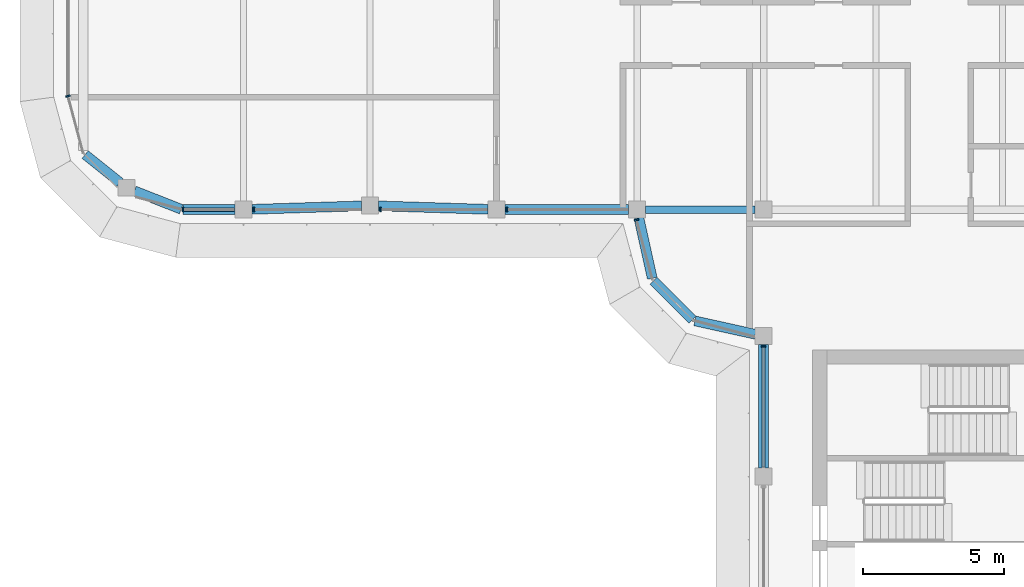
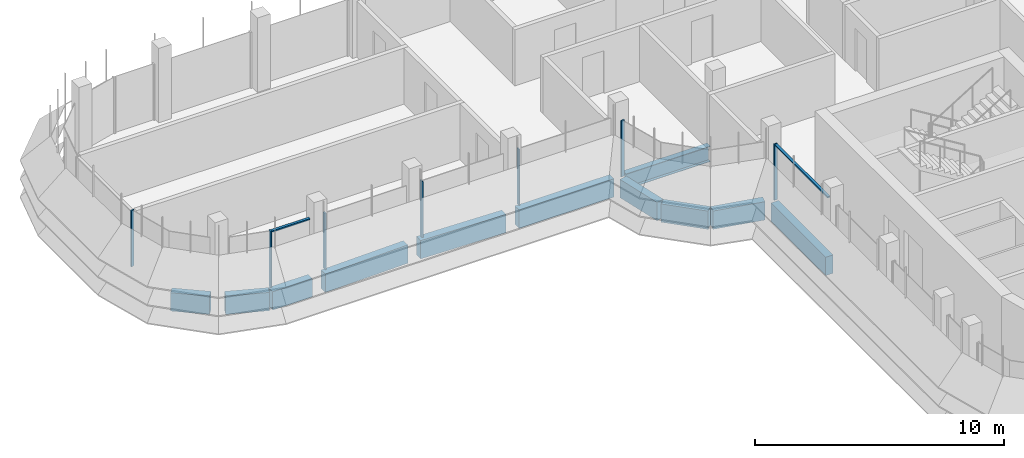
# One storey, part 3 of 19: 11 beams, 9 members, 4 elements without a shape of their own.
"""IFC4 building model written with IfcOpenShell, lengths in metres."""

from ifc_helpers import new_model, si_unit, direction, frame, origin, origin_2d, place, context, subcontext, project, spatial, polyline, rectangle, i_section, outline, extrude, source, transform, mapped, material, material_profile, profile_set, type_object, element, aggregate, save


model = new_model("IFC4")

# Units and contexts
model_context = context("Model", 3, precision=1e-05, world=origin(), true_north=direction((0.0, 1.0)))
body_context = subcontext(model_context, "Body", "Model", "MODEL_VIEW")
ifc_project = project(units=[si_unit("LENGTHUNIT", "METRE"), si_unit("AREAUNIT", "SQUARE_METRE"), si_unit("VOLUMEUNIT", "CUBIC_METRE"), si_unit("PLANEANGLEUNIT", "RADIAN"), si_unit("MASSUNIT", "GRAM", prefix="KILO")], contexts=[model_context])

# Site, building, storey
site_placement = place(None, origin())
site = spatial("IfcSite", under=ifc_project, at=site_placement, CompositionType="ELEMENT")
building_placement = place(site_placement, origin())
building = spatial("IfcBuilding", under=site, at=building_placement, Name="Zarbagh Exchange Tower", CompositionType="ELEMENT")
storey_placement = place(building_placement, frame((0.0, 0.0, 272.60009765625)))
storey = spatial("IfcBuildingStorey", under=building, at=storey_placement, Name="L67", CompositionType="ELEMENT", Elevation=272.60009765625)

# Beams
ifc_material_1 = material(Name="Steel ASTM A992 Gr 50", Category="steel")
ifc_material_profile_1 = material_profile(ifc_material_1, i_section(OverallWidth=0.2666015625, OverallDepth=0.7568359375, WebThickness=0.013916015625, FlangeThickness=0.019287109375, at=origin_2d()), Name="W30X108")
ifc_profile_set_1 = profile_set([ifc_material_profile_1], Name="Steel ASTM A992 Gr 50")
beam_type_1 = type_object("IfcBeamType", Name="Floor girder W30X108", PredefinedType="BEAM", material=ifc_profile_set_1)
beam_1_placement = place(storey_placement, frame((-10.449951171875, -6.25, -0.528564453125), z_axis=(1.0, 0.0, 0.0), x_axis=(0.0, 1.0, 0.0)))
element("IfcBeam", 1, at=beam_1_placement, inside=storey, type_object=beam_type_1, Name="Steel girder", PredefinedType="BEAM", context=body_context, shape_type="SweptSolid", body=[
    extrude(i_section(OverallWidth=0.2666015625, OverallDepth=0.7568359375, WebThickness=0.013916015625, FlangeThickness=0.019287109375, at=origin_2d()), origin(), (0.0, 0.0, 1.0), 3.89990234375),
])
ifc_material_2 = material(Name="Concrete C40/50", Category="concrete")
ifc_material_profile_2 = material_profile(ifc_material_2, rectangle(XDim=0.35009765625, YDim=0.89990234375, at=origin_2d()), Name="RC spandrel beam 350 x 900 C40/50")
ifc_profile_set_2 = profile_set([ifc_material_profile_2], Name="Concrete C40/50")
beam_type_2 = type_object("IfcBeamType", Name="RC spandrel beam 350 x 900 C40/50", PredefinedType="SPANDREL", material=ifc_profile_set_2)
beam_2_placement = place(storey_placement, frame((-6.25, -15.449951171875, -0.60009765625), z_axis=(0.0, 1.0, 0.0), x_axis=(-1.0, 0.0, 0.0)))
element("IfcBeam", 2, at=beam_2_placement, inside=storey, type_object=beam_type_2, Name="RC spandrel beam", PredefinedType="SPANDREL", context=body_context, shape_type="SweptSolid", body=[
    extrude(rectangle(XDim=0.35009765625, YDim=0.89990234375, at=origin_2d()), origin(), (0.0, 0.0, 1.0), 4.39990234375),
])
beam_3_placement = place(storey_placement, frame((-6.54296875, -10.685302734375, -0.60009765625), z_axis=(-0.976387662047, 0.216025770228, 0.0), x_axis=(-0.216025770228, -0.976387662047, 0.0)))
element("IfcBeam", 3, at=beam_3_placement, inside=storey, type_object=beam_type_2, Name="RC spandrel beam", PredefinedType="SPANDREL", context=body_context, shape_type="SweptSolid", body=[
    extrude(rectangle(XDim=0.35009765625, YDim=0.89990234375, at=origin_2d()), origin(), (0.0, 0.0, 1.0), 2.200439453125),
])
beam_4_placement = place(storey_placement, frame((-8.77734375, -10.16259765625, -0.60009765625), z_axis=(-0.707106781187, 0.707106781187, 0.0), x_axis=(-0.707106781187, -0.707106781187, 0.0)))
element("IfcBeam", 4, at=beam_4_placement, inside=storey, type_object=beam_type_2, Name="RC spandrel beam", PredefinedType="SPANDREL", context=body_context, shape_type="SweptSolid", body=[
    extrude(rectangle(XDim=0.35009765625, YDim=0.89990234375, at=origin_2d()), origin(), (0.0, 0.0, 1.0), 1.958984375),
])
beam_5_placement = place(storey_placement, frame((-10.2099609375, -8.69140625, -0.60009765625), z_axis=(-0.216025770228, 0.976387662047, 0.0), x_axis=(-0.976387662047, -0.216025770228, 0.0)))
element("IfcBeam", 5, at=beam_5_placement, inside=storey, type_object=beam_type_2, Name="RC spandrel beam", PredefinedType="SPANDREL", context=body_context, shape_type="SweptSolid", body=[
    extrude(rectangle(XDim=0.35009765625, YDim=0.89990234375, at=origin_2d()), origin(), (0.0, 0.0, 1.0), 2.200439453125),
])
beam_6_placement = place(storey_placement, frame((-11.050048828125, -6.25, -0.60009765625), z_axis=(-1.0, 0.0, 0.0), x_axis=(0.0, -1.0, 0.0)))
element("IfcBeam", 6, at=beam_6_placement, inside=storey, type_object=beam_type_2, Name="RC spandrel beam", PredefinedType="SPANDREL", context=body_context, shape_type="SweptSolid", body=[
    extrude(rectangle(XDim=0.35009765625, YDim=0.89990234375, at=origin_2d()), origin(), (0.0, 0.0, 1.0), 4.39990234375),
])
for number, where, z_axis, x_axis, name in (
    (7, (-16.0498046875, -6.24072265625, -0.60009765625), (-0.999516460907, 0.031094121249, 0.0), (-0.031094121249, -0.999516460907, 0.0), "RC spandrel beam"),
    (8, (-20.5498046875, -6.119384765625, -0.60009765625), (-0.999516460907, -0.031094121249, 0.0), (0.031094121249, -0.999516460907, 0.0), "RC spandrel beam"),
):
    element("IfcBeam", number, at=place(storey_placement, frame(where, z_axis=z_axis, x_axis=x_axis)), inside=storey, type_object=beam_type_2, Name=name, PredefinedType="SPANDREL", context=body_context, shape_type="SweptSolid", body=[
        extrude(rectangle(XDim=0.35009765625, YDim=0.89990234375, at=origin_2d()), origin(), (0.0, 0.0, 1.0), 3.90234375),
    ])
beam_7_placement = place(storey_placement, frame((-25.050048828125, -6.25, -0.60009765625), z_axis=(-1.0, 0.0, 0.0), x_axis=(0.0, -1.0, 0.0)))
element("IfcBeam", 9, at=beam_7_placement, inside=storey, type_object=beam_type_2, Name="RC spandrel beam", PredefinedType="SPANDREL", context=body_context, shape_type="SweptSolid", body=[
    extrude(rectangle(XDim=0.35009765625, YDim=0.89990234375, at=origin_2d()), origin(), (0.0, 0.0, 1.0), 1.850830078125),
])
beam_8_placement = place(storey_placement, frame((-26.965087890625, -6.23779296875, -0.60009765625), z_axis=(-0.930859366381, 0.365377667655, 0.0), x_axis=(-0.365377667655, -0.930859366381, 0.0)))
element("IfcBeam", 10, at=beam_8_placement, inside=storey, type_object=beam_type_2, Name="RC spandrel beam", PredefinedType="SPANDREL", context=body_context, shape_type="SweptSolid", body=[
    extrude(rectangle(XDim=0.35009765625, YDim=0.89990234375, at=origin_2d()), origin(), (0.0, 0.0, 1.0), 1.787353515625),
])
beam_9_placement = place(storey_placement, frame((-29.14208984375, -5.28759765625, -0.60009765625), z_axis=(-0.780584122498, 0.625050740104, 0.0), x_axis=(-0.625050740104, -0.780584122498, 0.0)))
element("IfcBeam", 11, at=beam_9_placement, inside=storey, type_object=beam_type_2, Name="RC spandrel beam", PredefinedType="SPANDREL", context=body_context, shape_type="SweptSolid", body=[
    extrude(rectangle(XDim=0.35009765625, YDim=0.89990234375, at=origin_2d()), origin(), (0.0, 0.0, 1.0), 1.590087890625),
])

# Curtain wall, member
ifc_material_3 = material(Name="Anodised aluminium frame and glazing", Category="aluminium")
curtain_wall_type = type_object("IfcCurtainWallType", Name="CWB Ribbon glazing, upper zones", PredefinedType="NOTDEFINED", material=ifc_material_3)
curtain_wall_1_placement = place(storey_placement, origin())
curtain_wall_1 = element("IfcCurtainWall", 12, at=curtain_wall_1_placement, inside=storey, type_object=curtain_wall_type, Name="CWB62 curtain wall", PredefinedType="NOTDEFINED")
ifc_material_4 = material(Name="Anodised aluminium frame", Category="aluminium")
member_type_1 = type_object("IfcMemberType", Name="MUB Mullion, anodised aluminium frame", PredefinedType="MULLION", material=ifc_material_4)
shared_shape_1 = source(origin(), body_context, "Body", "SweptSolid", [
    extrude(outline(polyline([(0.0, -0.080078125), (0.06005859375, -0.080078125), (0.06005859375, 0.080078125), (0.0, 0.080078125), (0.0, -0.080078125)])), origin(), (0.0, 0.0, 1.0), 2.75),
])
placement = place(storey_placement, origin())
member_1 = element("IfcMember", 13, at=placement, type_object=member_type_1, Name="CWB62 mullion 1.1", PredefinedType="MULLION", context=body_context, shape_type="MappedRepresentation", body=[
    mapped(shared_shape_1, transform((-31.0, -2.18408203125, 0.0), x_axis=(0.258824779902, -0.965924289636, 0.0), y_axis=(0.965924289636, 0.258824779902, 0.0), z_axis=(0.0, 0.0, 1.0))),
])
aggregate(curtain_wall_1, [member_1])

# Curtain wall, members
curtain_wall_2_placement = place(storey_placement, origin())
curtain_wall_2 = element("IfcCurtainWall", 14, at=curtain_wall_2_placement, inside=storey, type_object=curtain_wall_type, Name="CWB65 curtain wall", PredefinedType="NOTDEFINED")
member_2 = element("IfcMember", 15, at=placement, type_object=member_type_1, Name="CWB65 mullion 1.1", PredefinedType="MULLION", context=body_context, shape_type="MappedRepresentation", body=[
    mapped(shared_shape_1, transform((-26.93408203125, -6.25, 0.0), x_axis=(1.0, 0.0, 0.0), y_axis=(0.0, 1.0, 0.0), z_axis=(0.0, 0.0, 1.0))),
])
member_3 = element("IfcMember", 16, at=placement, type_object=member_type_1, Name="CWB65 mullion 2.1", PredefinedType="MULLION", context=body_context, shape_type="MappedRepresentation", body=[
    mapped(shared_shape_1, transform((-24.409912109375, -6.25, 0.0), x_axis=(1.0, 0.0, 0.0), y_axis=(0.0, 1.0, 0.0), z_axis=(0.0, 0.0, 1.0))),
])
member_4 = element("IfcMember", 17, at=placement, type_object=member_type_1, Name="CWB65 mullion 3.1", PredefinedType="MULLION", context=body_context, shape_type="MappedRepresentation", body=[
    mapped(shared_shape_1, transform((-19.909912109375, -6.25, 0.0), x_axis=(1.0, 0.0, 0.0), y_axis=(0.0, 1.0, 0.0), z_axis=(0.0, 0.0, 1.0))),
])
member_5 = element("IfcMember", 18, at=placement, type_object=member_type_1, Name="CWB65 mullion 4.1", PredefinedType="MULLION", context=body_context, shape_type="MappedRepresentation", body=[
    mapped(shared_shape_1, transform((-15.409912109375, -6.25, 0.0), x_axis=(1.0, 0.0, 0.0), y_axis=(0.0, 1.0, 0.0), z_axis=(0.0, 0.0, 1.0))),
])

# Curtain wall, member
curtain_wall_3_placement = place(storey_placement, origin())
curtain_wall_3 = element("IfcCurtainWall", 19, at=curtain_wall_3_placement, inside=storey, type_object=curtain_wall_type, Name="CWB41 curtain wall", PredefinedType="NOTDEFINED")
member_6 = element("IfcMember", 20, at=placement, type_object=member_type_1, Name="CWB41 mullion 1.1", PredefinedType="MULLION", context=body_context, shape_type="MappedRepresentation", body=[
    mapped(shared_shape_1, transform((-10.775146484375, -6.590087890625, 0.0), x_axis=(0.258824779902, -0.965924289636, 0.0), y_axis=(0.965924289636, 0.258824779902, 0.0), z_axis=(0.0, 0.0, 1.0))),
])
aggregate(curtain_wall_3, [member_6])

curtain_wall_4_placement = place(storey_placement, origin())
curtain_wall_4 = element("IfcCurtainWall", 21, at=curtain_wall_4_placement, inside=storey, type_object=curtain_wall_type, Name="CWB53 curtain wall", PredefinedType="NOTDEFINED")
member_7 = element("IfcMember", 22, at=placement, type_object=member_type_1, Name="CWB53 mullion 1.1", PredefinedType="MULLION", context=body_context, shape_type="MappedRepresentation", body=[
    mapped(shared_shape_1, transform((-6.25, -11.090087890625, 0.0), x_axis=(0.0, -1.0, 0.0), y_axis=(1.0, 0.0, 0.0), z_axis=(0.0, 0.0, 1.0))),
])

# Member
member_type_2 = type_object("IfcMemberType", Name="TRB Transom, anodised aluminium frame", PredefinedType="USERDEFINED", material=ifc_material_4)
shared_shape_2 = source(origin(), body_context, "Body", "SweptSolid", [
    extrude(outline(polyline([(-0.06005859375, -0.06005859375), (0.0, -0.06005859375), (0.0, 0.06005859375), (-0.06005859375, 0.06005859375), (-0.06005859375, -0.06005859375)])), origin(), (0.0, 0.0, 1.0), 1.7841796875),
])
member_8 = element("IfcMember", 23, at=placement, type_object=member_type_2, Name="CWB65 transom 1.1", ObjectType="TRANSOM", PredefinedType="USERDEFINED", context=body_context, shape_type="MappedRepresentation", body=[
    mapped(shared_shape_2, transform((-26.874267578125, -6.25, 2.75), x_axis=(0.0, 0.0, 1.0), y_axis=(0.0, -1.0, 0.0), z_axis=(1.0, 0.0, 0.0))),
])

aggregate(curtain_wall_2, [member_2, member_8, member_3, member_4, member_5])

shared_shape_3 = source(origin(), body_context, "Body", "SweptSolid", [
    extrude(outline(polyline([(-0.06005859375, -0.06005859375), (0.0, -0.06005859375), (0.0, 0.06005859375), (-0.06005859375, 0.06005859375), (-0.06005859375, -0.06005859375)])), origin(), (0.0, 0.0, 1.0), 4.260009765625),
])
member_9 = element("IfcMember", 24, at=placement, type_object=member_type_2, Name="CWB53 transom 1.1", ObjectType="TRANSOM", PredefinedType="USERDEFINED", context=body_context, shape_type="MappedRepresentation", body=[
    mapped(shared_shape_3, transform((-6.25, -11.150146484375, 2.75), x_axis=(0.0, 0.0, 1.0), y_axis=(-1.0, 0.0, 0.0), z_axis=(0.0, -1.0, 0.0))),
])

aggregate(curtain_wall_4, [member_7, member_9])

save(model, "model.ifc")
